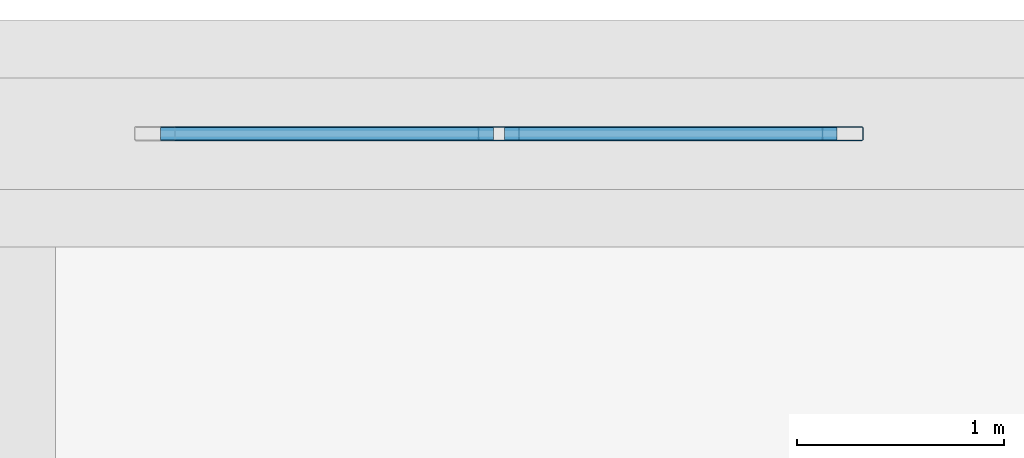
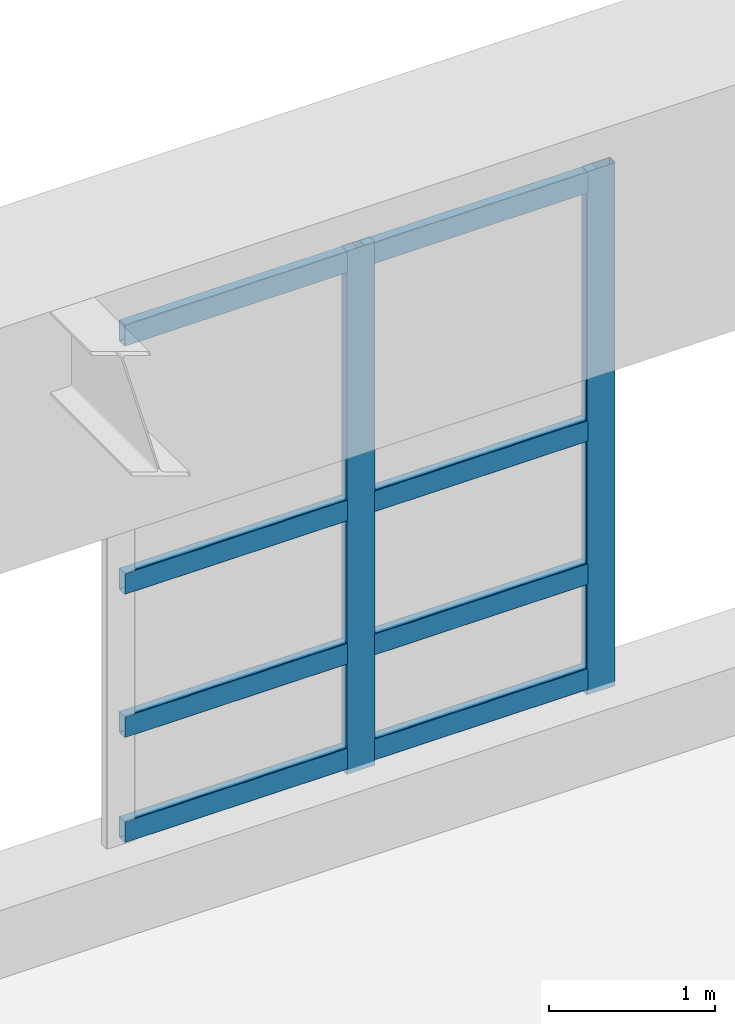
# One storey, part 142 of 197: 10 members, 1 element without a shape of its own.
"""IFC4 building model written with IfcOpenShell, lengths in metres."""

from ifc_helpers import new_model, si_unit, derived_unit, direction, frame, origin, origin_2d, place, context, subcontext, project, spatial, hollow_rectangle, extrude, material, layer, layer_set, material_profile, profile_set, type_object, element, aggregate, save


model = new_model("IFC4")

# Units and contexts
model_context = context("Model", 3, precision=1e-05, world=origin(), true_north=direction((0.0, 1.0)))
body_context = subcontext(model_context, "Body", "Model", "MODEL_VIEW")
ifc_project = project(units=[si_unit("LENGTHUNIT", "METRE"), si_unit("AREAUNIT", "SQUARE_METRE"), si_unit("VOLUMEUNIT", "CUBIC_METRE"), si_unit("PLANEANGLEUNIT", "RADIAN"), si_unit("MASSUNIT", "GRAM", prefix="KILO"), derived_unit("THERMALTRANSMITTANCEUNIT", [(si_unit("POWERUNIT", "WATT"), 1), (si_unit("LENGTHUNIT", "METRE"), -2), (si_unit("THERMODYNAMICTEMPERATUREUNIT", "KELVIN"), -1)])], contexts=[model_context])

# Site, building, storey
site_placement = place(None, origin())
site = spatial("IfcSite", under=ifc_project, at=site_placement, CompositionType="ELEMENT")
building_placement = place(site_placement, origin())
building = spatial("IfcBuilding", under=site, at=building_placement, Name="Almenara Railside Exhibition Hall", CompositionType="ELEMENT")
storey_placement = place(building_placement, frame((0.0, 0.0, 5.39990234375)))
storey = spatial("IfcBuildingStorey", under=building, at=storey_placement, Name="L01", CompositionType="ELEMENT", Elevation=5.39990234375)

# Curtain wall, members
ifc_material_1 = material(Name="Bronze-anodised aluminium and low-E double glazing", Category="aluminium")
ifc_layer = layer(ifc_material_1, 0.179931640625, Name="Bronze-anodised aluminium and low-E double glazing")
ifc_layer_set = layer_set([ifc_layer], Name="Bronze-anodised aluminium and low-E double glazing")
curtain_wall_type = type_object("IfcCurtainWallType", Name="Scroll Gable Mid Curtain Wall 3400x4400", PredefinedType="NOTDEFINED", material=ifc_layer_set)
curtain_wall_placement = place(storey_placement, origin())
curtain_wall = element("IfcCurtainWall", 1, at=curtain_wall_placement, inside=storey, type_object=curtain_wall_type, Name="Curtain wall CW-G3-040", PredefinedType="NOTDEFINED")
ifc_material_2 = material(Name="Bronze-anodised aluminium", Category="aluminium")
ifc_material_profile_1 = material_profile(ifc_material_2, hollow_rectangle(XDim=0.070068359375, YDim=0.199951171875, WallThickness=0.00439453125, InnerFilletRadius=0.00439453125, OuterFilletRadius=0.009033203125, at=origin_2d()), Name="ALU-MUL 70x200x4.5")
ifc_profile_set_1 = profile_set([ifc_material_profile_1], Name="Bronze-anodised aluminium")
member_type_1 = type_object("IfcMemberType", Name="Curtain Wall Mullion 70x200x4.5", PredefinedType="MULLION", material=ifc_profile_set_1)
member_1_placement = place(storey_placement, frame((35.699951171875, 132.0, 0.465087890625), z_axis=(0.0, 0.0, 1.0), x_axis=(0.0, 1.0, 0.0)))
member_1 = element("IfcMember", 2, at=member_1_placement, type_object=member_type_1, Name="CW-G3-040 mullion 2", PredefinedType="MULLION", context=body_context, shape_type="SweptSolid", body=[
    extrude(hollow_rectangle(XDim=0.070068359375, YDim=0.199951171875, WallThickness=0.00439453125, InnerFilletRadius=0.00439453125, OuterFilletRadius=0.009033203125, at=origin_2d()), origin(), (0.0, 0.0, 1.0), 3.8349609375),
])
member_2_placement = place(storey_placement, frame((37.364990234375, 132.0, 0.465087890625), z_axis=(0.0, 0.0, 1.0), x_axis=(0.0, 1.0, 0.0)))
member_2 = element("IfcMember", 3, at=member_2_placement, type_object=member_type_1, Name="CW-G3-040 mullion 3", PredefinedType="MULLION", context=body_context, shape_type="SweptSolid", body=[
    extrude(hollow_rectangle(XDim=0.070068359375, YDim=0.199951171875, WallThickness=0.00439453125, InnerFilletRadius=0.00439453125, OuterFilletRadius=0.009033203125, at=origin_2d()), origin(), (0.0, 0.0, 1.0), 3.8349609375),
])
ifc_material_profile_2 = material_profile(ifc_material_2, hollow_rectangle(XDim=0.070068359375, YDim=0.159912109375, WallThickness=0.00390625, InnerFilletRadius=0.00390625, OuterFilletRadius=0.008056640625, at=origin_2d()), Name="ALU-TRN 70x160x4")
ifc_profile_set_2 = profile_set([ifc_material_profile_2], Name="Bronze-anodised aluminium")
member_type_2 = type_object("IfcMemberType", Name="Curtain Wall Transom 70x160x4", PredefinedType="USERDEFINED", material=ifc_profile_set_2)
member_3_placement = place(storey_placement, frame((34.06201171875, 132.0, 0.580078125), z_axis=(1.0, 0.0, 0.0), x_axis=(0.0, 1.0, 0.0)))
member_3 = element("IfcMember", 4, at=member_3_placement, type_object=member_type_2, Name="CW-G3-040 transom 1.1", ObjectType="TRANSOM", PredefinedType="USERDEFINED", context=body_context, shape_type="SweptSolid", body=[
    extrude(hollow_rectangle(XDim=0.070068359375, YDim=0.159912109375, WallThickness=0.00390625, InnerFilletRadius=0.00390625, OuterFilletRadius=0.008056640625, at=origin_2d()), origin(), (0.0, 0.0, 1.0), 1.611083984375),
])
member_4_placement = place(storey_placement, frame((34.06201171875, 132.0, 1.35009765625), z_axis=(1.0, 0.0, 0.0), x_axis=(0.0, 1.0, 0.0)))
member_4 = element("IfcMember", 5, at=member_4_placement, type_object=member_type_2, Name="CW-G3-040 transom 1.2", ObjectType="TRANSOM", PredefinedType="USERDEFINED", context=body_context, shape_type="SweptSolid", body=[
    extrude(hollow_rectangle(XDim=0.070068359375, YDim=0.159912109375, WallThickness=0.00390625, InnerFilletRadius=0.00390625, OuterFilletRadius=0.008056640625, at=origin_2d()), origin(), (0.0, 0.0, 1.0), 1.611083984375),
])
member_5_placement = place(storey_placement, frame((34.06201171875, 132.0, 2.400146484375), z_axis=(1.0, 0.0, 0.0), x_axis=(0.0, 1.0, 0.0)))
member_5 = element("IfcMember", 6, at=member_5_placement, type_object=member_type_2, Name="CW-G3-040 transom 1.3", ObjectType="TRANSOM", PredefinedType="USERDEFINED", context=body_context, shape_type="SweptSolid", body=[
    extrude(hollow_rectangle(XDim=0.070068359375, YDim=0.159912109375, WallThickness=0.00390625, InnerFilletRadius=0.00390625, OuterFilletRadius=0.008056640625, at=origin_2d()), origin(), (0.0, 0.0, 1.0), 1.611083984375),
])
member_6_placement = place(storey_placement, frame((34.06201171875, 132.0, 4.22021484375), z_axis=(1.0, 0.0, 0.0), x_axis=(0.0, 1.0, 0.0)))
member_6 = element("IfcMember", 7, at=member_6_placement, type_object=member_type_2, Name="CW-G3-040 transom 1.4", ObjectType="TRANSOM", PredefinedType="USERDEFINED", context=body_context, shape_type="SweptSolid", body=[
    extrude(hollow_rectangle(XDim=0.070068359375, YDim=0.159912109375, WallThickness=0.00390625, InnerFilletRadius=0.00390625, OuterFilletRadius=0.008056640625, at=origin_2d()), origin(), (0.0, 0.0, 1.0), 1.611083984375),
])
member_7_placement = place(storey_placement, frame((35.72705078125, 132.0, 0.580078125), z_axis=(1.0, 0.0, 0.0), x_axis=(0.0, 1.0, 0.0)))
member_7 = element("IfcMember", 8, at=member_7_placement, type_object=member_type_2, Name="CW-G3-040 transom 2.1", ObjectType="TRANSOM", PredefinedType="USERDEFINED", context=body_context, shape_type="SweptSolid", body=[
    extrude(hollow_rectangle(XDim=0.070068359375, YDim=0.159912109375, WallThickness=0.00390625, InnerFilletRadius=0.00390625, OuterFilletRadius=0.008056640625, at=origin_2d()), origin(), (0.0, 0.0, 1.0), 1.61083984375),
])
member_8_placement = place(storey_placement, frame((35.72705078125, 132.0, 1.35009765625), z_axis=(1.0, 0.0, 0.0), x_axis=(0.0, 1.0, 0.0)))
member_8 = element("IfcMember", 9, at=member_8_placement, type_object=member_type_2, Name="CW-G3-040 transom 2.2", ObjectType="TRANSOM", PredefinedType="USERDEFINED", context=body_context, shape_type="SweptSolid", body=[
    extrude(hollow_rectangle(XDim=0.070068359375, YDim=0.159912109375, WallThickness=0.00390625, InnerFilletRadius=0.00390625, OuterFilletRadius=0.008056640625, at=origin_2d()), origin(), (0.0, 0.0, 1.0), 1.61083984375),
])
member_9_placement = place(storey_placement, frame((35.72705078125, 132.0, 2.400146484375), z_axis=(1.0, 0.0, 0.0), x_axis=(0.0, 1.0, 0.0)))
member_9 = element("IfcMember", 10, at=member_9_placement, type_object=member_type_2, Name="CW-G3-040 transom 2.3", ObjectType="TRANSOM", PredefinedType="USERDEFINED", context=body_context, shape_type="SweptSolid", body=[
    extrude(hollow_rectangle(XDim=0.070068359375, YDim=0.159912109375, WallThickness=0.00390625, InnerFilletRadius=0.00390625, OuterFilletRadius=0.008056640625, at=origin_2d()), origin(), (0.0, 0.0, 1.0), 1.61083984375),
])
member_10_placement = place(storey_placement, frame((35.72705078125, 132.0, 4.22021484375), z_axis=(1.0, 0.0, 0.0), x_axis=(0.0, 1.0, 0.0)))
member_10 = element("IfcMember", 11, at=member_10_placement, type_object=member_type_2, Name="CW-G3-040 transom 2.4", ObjectType="TRANSOM", PredefinedType="USERDEFINED", context=body_context, shape_type="SweptSolid", body=[
    extrude(hollow_rectangle(XDim=0.070068359375, YDim=0.159912109375, WallThickness=0.00390625, InnerFilletRadius=0.00390625, OuterFilletRadius=0.008056640625, at=origin_2d()), origin(), (0.0, 0.0, 1.0), 1.61083984375),
])
aggregate(curtain_wall, [member_1, member_2, member_3, member_4, member_5, member_6, member_7, member_8, member_9, member_10])

save(model, "model.ifc")
